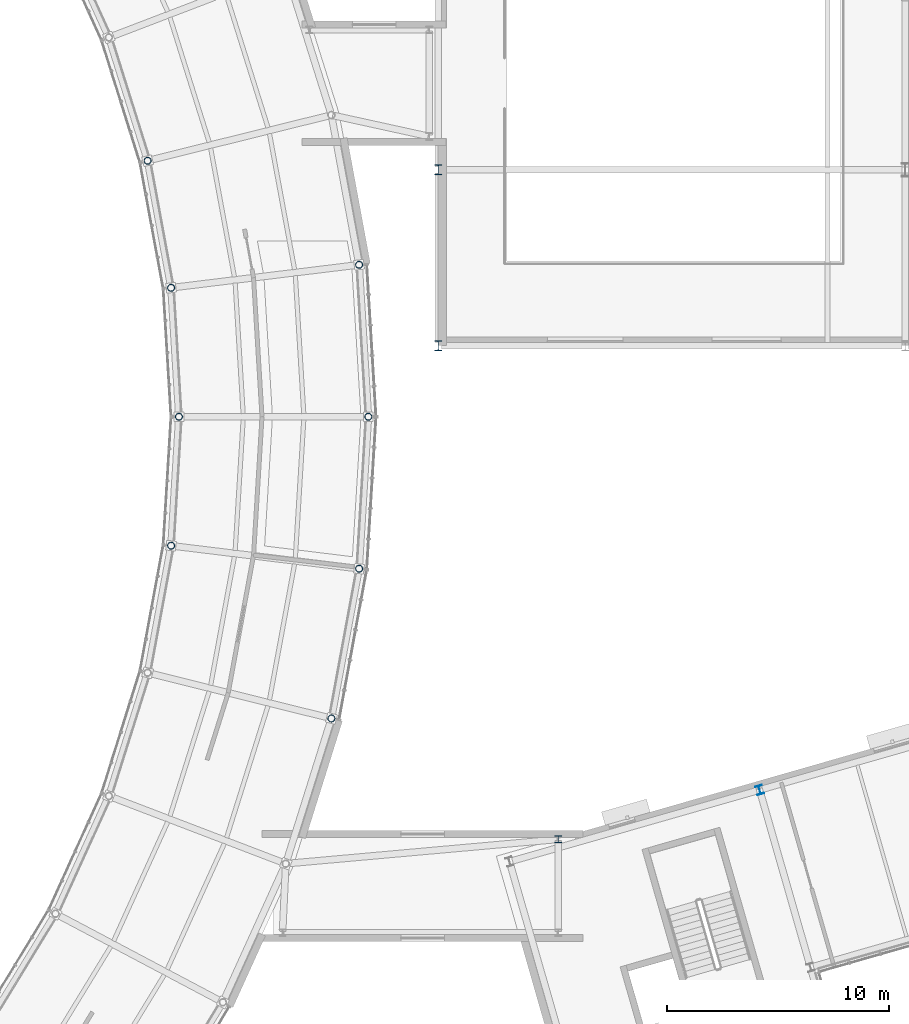
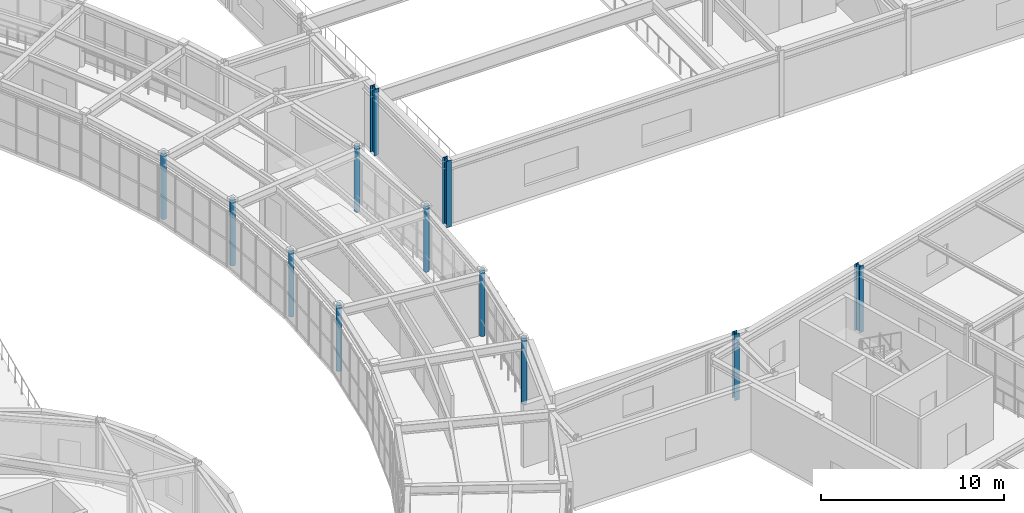
# One storey, part 8 of 103: 12 columns.
"""IFC4 building model written with IfcOpenShell, lengths in metres."""

import ifcopenshell
import ifcopenshell.guid

model = None  # the IFC model being written
_history = None  # IfcOwnerHistory: only IFC2X3 demands one
_inside = {}  # id of a spatial element -> (the spatial element, [elements in it])
_under = {}  # id of a project, library or spatial element -> (it, [spatial elements below it])
_declared = {}  # id of a project -> (the project, [libraries it declares])
_typed = {}  # id of a type object -> (the type object, [elements of that type])
_made_of = {}  # id of a material, layer set ... -> (it, [elements and type objects made of it])


def new_model(schema):
    """Start an empty IFC model of exactly this schema.

    Asked for "IFC4X3", IfcOpenShell would pick the latest addendum, in which some entities
    have other attributes; the version numbers below select the first issue.
    IFC2X3 requires an IfcOwnerHistory on every rooted entity: one is made here for all.
    """
    global model, _history
    if schema == "IFC4X3":
        model = ifcopenshell.file(schema_version=(4, 3, 0, 0))
    else:
        model = ifcopenshell.file(schema=schema)
    _inside.clear()
    _under.clear()
    _declared.clear()
    _typed.clear()
    _made_of.clear()
    _history = None
    if model.schema == "IFC2X3":
        org = make("IfcOrganization", Name="unknown")
        user = make(
            "IfcPersonAndOrganization",
            ThePerson=make("IfcPerson", FamilyName="unknown"),
            TheOrganization=org,
        )
        app = make(
            "IfcApplication",
            ApplicationDeveloper=org,
            Version="unknown",
            ApplicationFullName="unknown",
            ApplicationIdentifier="unknown",
        )
        _history = make(
            "IfcOwnerHistory",
            OwningUser=user,
            OwningApplication=app,
            ChangeAction="ADDED",
            CreationDate=0,
        )
    return model


def make(cls, **values):
    """One entity of the class cls with the attributes given. An attribute that is None is left unset."""
    return model.create_entity(
        cls, **{name: value for name, value in values.items() if value is not None}
    )


def rooted(cls, **values):
    """An entity with a GlobalId (a new one), such as an element, a storey or a relation."""
    return make(cls, GlobalId=ifcopenshell.guid.new(), OwnerHistory=_history, **values)


def si_unit(unit_type, name, prefix=None):
    """IfcSIUnit, for example si_unit("LENGTHUNIT", "METRE", prefix="MILLI")."""
    return make("IfcSIUnit", UnitType=unit_type, Prefix=prefix, Name=name)


def assignment(units):
    """IfcUnitAssignment: the units of a project."""
    return None if units is None else make("IfcUnitAssignment", Units=units)


def point(xyz):
    """IfcCartesianPoint."""
    return None if xyz is None else make("IfcCartesianPoint", Coordinates=xyz)


def direction(xyz):
    """IfcDirection."""
    return None if xyz is None else make("IfcDirection", DirectionRatios=xyz)


def frame(location, z_axis=None, x_axis=None):
    """IfcAxis2Placement3D, a coordinate frame: its origin and axes. An axis left out is left unset."""
    return make(
        "IfcAxis2Placement3D",
        Location=point(location),
        Axis=direction(z_axis),
        RefDirection=direction(x_axis),
    )


def frame_2d(location, x_axis=None):
    """IfcAxis2Placement2D, a coordinate frame in the plane: its origin and x axis."""
    return make(
        "IfcAxis2Placement2D", Location=point(location), RefDirection=direction(x_axis)
    )


def origin():
    """The frame at (0, 0, 0) with its axes left unset."""
    return frame((0.0, 0.0, 0.0))


def origin_2d():
    """The frame at (0, 0) in the plane with its x axis left unset."""
    return frame_2d((0.0, 0.0))


def place(relative_to, where):
    """IfcLocalPlacement: puts the frame where relative to a parent placement (None: the world)."""
    return make(
        "IfcLocalPlacement", PlacementRelTo=relative_to, RelativePlacement=where
    )


def context(
    kind, dimensions, precision=None, world=None, true_north=None, identifier=None
):
    """IfcGeometricRepresentationContext, for example the 3D "Model" context."""
    return make(
        "IfcGeometricRepresentationContext",
        ContextIdentifier=identifier,
        ContextType=kind,
        CoordinateSpaceDimension=dimensions,
        Precision=precision,
        WorldCoordinateSystem=world,
        TrueNorth=true_north,
    )


def subcontext(parent, identifier, kind, view, scale=None):
    """IfcGeometricRepresentationSubContext, for example "Body" below "Model"."""
    return make(
        "IfcGeometricRepresentationSubContext",
        ContextIdentifier=identifier,
        ContextType=kind,
        ParentContext=parent,
        TargetScale=scale,
        TargetView=view,
    )


def project(units=None, contexts=None):
    """IfcProject with its units and contexts."""
    return rooted(
        "IfcProject",
        Name="project",
        RepresentationContexts=contexts,
        UnitsInContext=assignment(units),
    )


def spatial(cls, under=None, at=None, **own):
    """A site, building, storey or space (cls), placed at a placement, below another one or the project."""
    s = rooted(cls, ObjectPlacement=at, **own)
    if under is not None:
        _under.setdefault(under.id(), (under, []))[1].append(s)
    return s


def profile(cls, at=None, kind="AREA", **sizes):
    """A parametric profile (cls). Its sizes go by their IFC names, for example OverallWidth=200.0."""
    return make(cls, ProfileType=kind, Position=at, **sizes)


def hollow_circle(**sizes):
    """IfcCircleHollowProfileDef."""
    return profile("IfcCircleHollowProfileDef", **sizes)


def i_section(**sizes):
    """IfcIShapeProfileDef."""
    return profile("IfcIShapeProfileDef", **sizes)


def extrude(swept, where, along, depth):
    """IfcExtrudedAreaSolid: the profile swept, set in the frame where, extruded along a direction by depth."""
    return make(
        "IfcExtrudedAreaSolid",
        SweptArea=swept,
        Position=where,
        ExtrudedDirection=direction(along),
        Depth=depth,
    )


def shape(context_of_items, identifier, shape_type, items):
    """IfcShapeRepresentation: the items that make up one representation, for example the "Body"."""
    return make(
        "IfcShapeRepresentation",
        ContextOfItems=context_of_items,
        RepresentationIdentifier=identifier,
        RepresentationType=shape_type,
        Items=items,
    )


def material(Name=None, Category=None):
    """IfcMaterial."""
    return make("IfcMaterial", Name=Name, Category=Category)


def material_profile(
    of_material, cross_section, Name=None, Category=None, Priority=None
):
    """IfcMaterialProfile: a cross section and its material."""
    return make(
        "IfcMaterialProfile",
        Name=Name,
        Material=of_material,
        Profile=cross_section,
        Priority=Priority,
        Category=Category,
    )


def profile_set(profiles, Name=None, composite=None):
    """IfcMaterialProfileSet."""
    return make(
        "IfcMaterialProfileSet",
        Name=Name,
        MaterialProfiles=profiles,
        CompositeProfile=composite,
    )


def made_of(thing, what):
    """Note that an element or type object is made of a material, layer set ...; save() writes the relation."""
    if what is not None:
        _made_of.setdefault(what.id(), (what, []))[1].append(thing)
    return thing


def type_object(cls, material=None, **own):
    """A type object (cls), such as IfcWallType, which elements share."""
    return made_of(rooted(cls, **own), material)


def element(
    cls,
    number,
    at=None,
    inside=None,
    cuts=None,
    type_object=None,
    material=None,
    context=None,
    identifier="Body",
    shape_type=None,
    held_by="IfcProductDefinitionShape",
    body=None,
    shapes=None,
    **own,
):
    """One element of the class cls, such as IfcWall. Its Tag is "e" and its number.

    at: its placement. inside: the storey or other place that contains it. cuts: it is an
    opening in that element (IfcRelVoidsElement). A single representation is given by context,
    identifier, shape_type and body (its items); several are given by shapes. held_by: the class
    of the entity that holds the representations. save() writes the other relations.
    """
    e = rooted(cls, Tag="e%d" % number, ObjectPlacement=at, **own)
    if body is not None:
        shapes = [shape(context, identifier, shape_type, body)]
    if shapes is not None:
        e.Representation = make(held_by, Representations=shapes)
    if inside is not None:
        _inside.setdefault(inside.id(), (inside, []))[1].append(e)
    if cuts is not None:
        rooted(
            "IfcRelVoidsElement", RelatingBuildingElement=cuts, RelatedOpeningElement=e
        )
    if type_object is not None:
        _typed.setdefault(type_object.id(), (type_object, []))[1].append(e)
    return made_of(e, material)


def aggregate(whole, parts):
    """IfcRelAggregates: a whole, such as a stair, and the parts it consists of."""
    return rooted("IfcRelAggregates", RelatingObject=whole, RelatedObjects=parts)


def save(model, path):
    """Write the relations noted so far, then the file.

    IfcRelAggregates (storeys below a building ...), IfcRelContainedInSpatialStructure (elements
    in a storey), IfcRelDefinesByType, IfcRelAssociatesMaterial and IfcRelDeclares: one each for
    every whole, place, type object, material and project.
    """
    for whole, parts in _under.values():
        aggregate(whole, parts)
    for where, things in _inside.values():
        rooted(
            "IfcRelContainedInSpatialStructure",
            RelatedElements=things,
            RelatingStructure=where,
        )
    for kind, things in _typed.values():
        rooted("IfcRelDefinesByType", RelatedObjects=things, RelatingType=kind)
    for what, things in _made_of.values():
        rooted("IfcRelAssociatesMaterial", RelatedObjects=things, RelatingMaterial=what)
    for by, libraries in _declared.values():
        rooted("IfcRelDeclares", RelatingContext=by, RelatedDefinitions=libraries)
    model.write(path)


model = new_model("IFC4")

# Units and contexts
model_context = context("Model", 3, precision=1e-05, world=origin(), true_north=direction((0.0, 1.0)))
body_context = subcontext(model_context, "Body", "Model", "MODEL_VIEW")
ifc_project = project(units=[si_unit("LENGTHUNIT", "METRE"), si_unit("AREAUNIT", "SQUARE_METRE"), si_unit("VOLUMEUNIT", "CUBIC_METRE"), si_unit("PLANEANGLEUNIT", "RADIAN"), si_unit("MASSUNIT", "GRAM", prefix="KILO")], contexts=[model_context])

# Site, building, storey
site_placement = place(None, origin())
site = spatial("IfcSite", under=ifc_project, at=site_placement, CompositionType="ELEMENT")
building_placement = place(site_placement, origin())
building = spatial("IfcBuilding", under=site, at=building_placement, Name="Varnklinge Art Gallery", CompositionType="ELEMENT")
storey_placement = place(building_placement, frame((0.0, 0.0, 5.10009765625)))
storey = spatial("IfcBuildingStorey", under=building, at=storey_placement, Name="L01", CompositionType="ELEMENT", Elevation=5.10009765625)

# Columns
ifc_material_1 = material(Name="Steel S355", Category="steel")
ifc_material_profile_1 = material_profile(ifc_material_1, i_section(OverallWidth=0.300048828125, OverallDepth=0.320068359375, WebThickness=0.011474609375, FlangeThickness=0.0205078125, FilletRadius=0.027099609375, at=origin_2d()), Name="HEB 320")
ifc_profile_set_1 = profile_set([ifc_material_profile_1], Name="Steel S355")
column_type_1 = type_object("IfcColumnType", Name="COL-09", PredefinedType="COLUMN", material=ifc_profile_set_1)
column_1_placement = place(storey_placement, frame((119.800048828125, 36.0, 0.0), z_axis=(0.0, 0.0, 1.0), x_axis=(1.0, 0.0, 0.0)))
element("IfcColumn", 1, at=column_1_placement, inside=storey, type_object=column_type_1, Name="L01 Column LNK-V6-C3", PredefinedType="COLUMN", context=body_context, shape_type="SweptSolid", body=[
    extrude(i_section(OverallWidth=0.300048828125, OverallDepth=0.320068359375, WebThickness=0.011474609375, FlangeThickness=0.0205078125, FilletRadius=0.027099609375, at=origin_2d()), origin(), (0.0, 0.0, 1.0), 4.419921875),
])
ifc_material_2 = material(Name="Steel S355", Category="steel")
ifc_material_profile_2 = material_profile(ifc_material_2, i_section(OverallWidth=0.300048828125, OverallDepth=0.449951171875, WebThickness=0.013916015625, FlangeThickness=0.02587890625, FilletRadius=0.027099609375, at=origin_2d()), Name="HEB 450")
ifc_profile_set_2 = profile_set([ifc_material_profile_2], Name="Steel S355")
column_type_2 = type_object("IfcColumnType", Name="COL-E2", PredefinedType="COLUMN", material=ifc_profile_set_2)
for number, where, z_axis, x_axis, name in (
    (2, (114.39990234375, 58.199951171875, 0.0), (0.0, 0.0, 1.0), (1.0, 0.0, 0.0), "L01 Column V1C-1-1"),
    (3, (114.39990234375, 66.10009765625, 0.0), (0.0, 0.0, 1.0), (1.0, 0.0, 0.0), "L01 Column V1C-1-2"),
):
    element("IfcColumn", number, at=place(storey_placement, frame(where, z_axis=z_axis, x_axis=x_axis)), inside=storey, type_object=column_type_2, Name=name, PredefinedType="COLUMN", context=body_context, shape_type="SweptSolid", body=[
        extrude(i_section(OverallWidth=0.300048828125, OverallDepth=0.449951171875, WebThickness=0.013916015625, FlangeThickness=0.02587890625, FilletRadius=0.027099609375, at=origin_2d()), origin(), (0.0, 0.0, 1.0), 4.419921875),
    ])
ifc_material_3 = material(Name="Steel S355", Category="steel")
ifc_material_profile_3 = material_profile(ifc_material_3, i_section(OverallWidth=0.300048828125, OverallDepth=0.39990234375, WebThickness=0.013427734375, FlangeThickness=0.02392578125, FilletRadius=0.027099609375, at=origin_2d()), Name="HEB 400")
ifc_profile_set_3 = profile_set([ifc_material_profile_3], Name="Steel S355")
column_type_3 = type_object("IfcColumnType", Name="COL-E3", PredefinedType="COLUMN", material=ifc_profile_set_3)
column_2_placement = place(storey_placement, frame((128.8525390625, 38.21826171875, 0.0), z_axis=(0.0, 0.0, 1.0), x_axis=(0.961261695938, 0.275637355817, 0.0)))
element("IfcColumn", 4, at=column_2_placement, inside=storey, type_object=column_type_3, Name="L01 Column V6C-2-4", PredefinedType="COLUMN", context=body_context, shape_type="SweptSolid", body=[
    extrude(i_section(OverallWidth=0.300048828125, OverallDepth=0.39990234375, WebThickness=0.013427734375, FlangeThickness=0.02392578125, FilletRadius=0.027099609375, at=origin_2d()), origin(), (0.0, 0.0, 1.0), 4.419921875),
])
ifc_material_4 = material(Name="Steel S355", Category="steel")
ifc_material_profile_4 = material_profile(ifc_material_4, hollow_circle(Radius=0.161865234375, WallThickness=0.01611328125, at=origin_2d()), Name="CHS 323.9x16")
ifc_profile_set_4 = profile_set([ifc_material_profile_4], Name="Steel S355")
column_type_4 = type_object("IfcColumnType", Name="COL-E6", PredefinedType="COLUMN", material=ifc_profile_set_4)
for number, where, z_axis, x_axis, name in (
    (5, (109.598388671875, 41.43408203125, 0.0), (0.0, 0.0, 1.0), (-0.970506473469, 0.241075060833, 0.0), "L01 Column V2CO-05"),
    (6, (110.842041015625, 48.16650390625, 0.0), (0.0, 0.0, 1.0), (-0.992588631597, 0.121522872021, 0.0), "L01 Column V2CO-06"),
    (7, (102.387939453125, 49.201171875, 0.0), (0.0, 0.0, 1.0), (-0.992588631597, 0.121522872021, 0.0), "L01 Column V2CI-06"),
    (8, (111.258544921875, 55.0, 0.0), (0.0, 0.0, 1.0), (-1.0, 0.0, 0.0), "L01 Column V2CO-07"),
    (9, (102.741455078125, 55.0, 0.0), (0.0, 0.0, 1.0), (-1.0, 0.0, 0.0), "L01 Column V2CI-07"),
    (10, (110.842041015625, 61.83349609375, 0.0), (0.0, 0.0, 1.0), (-0.992588631597, -0.121522872021, 0.0), "L01 Column V2CO-08"),
    (11, (102.387939453125, 60.798828125, 0.0), (0.0, 0.0, 1.0), (-0.992588631597, -0.121522872021, 0.0), "L01 Column V2CI-08"),
    (12, (101.332763671875, 66.511962890625, 0.0), (0.0, 0.0, 1.0), (-0.970506473469, -0.241075060833, 0.0), "L01 Column V2CI-09"),
):
    element("IfcColumn", number, at=place(storey_placement, frame(where, z_axis=z_axis, x_axis=x_axis)), inside=storey, type_object=column_type_4, Name=name, PredefinedType="COLUMN", context=body_context, shape_type="SweptSolid", body=[
        extrude(hollow_circle(Radius=0.161865234375, WallThickness=0.01611328125, at=origin_2d()), origin(), (0.0, 0.0, 1.0), 4.419921875),
    ])

save(model, "model.ifc")
